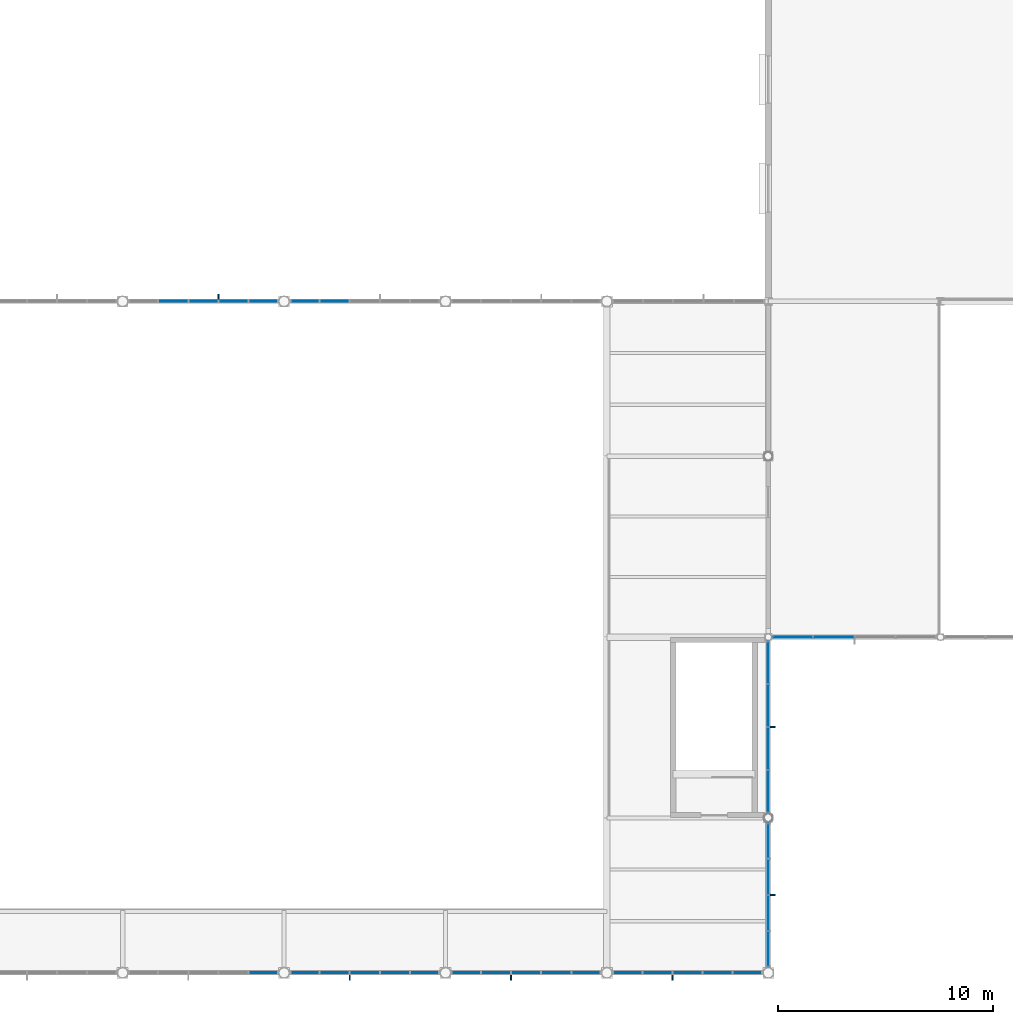
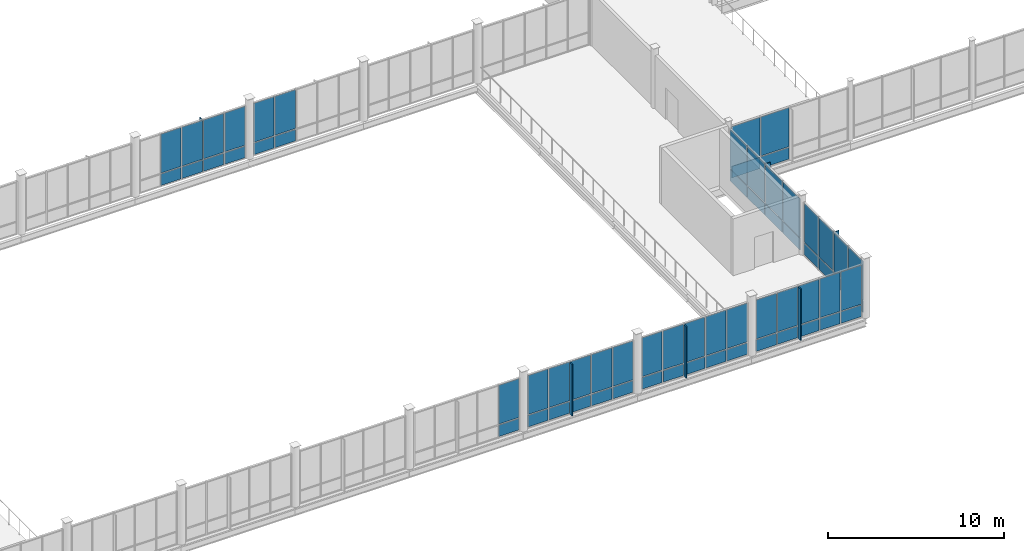
# One storey, part 42 of 75: 70 plates, 9 elements without a shape of their own.
"""IFC4 building model written with IfcOpenShell, lengths in metres."""

import ifcopenshell
import ifcopenshell.guid

model = None  # the IFC model being written
_history = None  # IfcOwnerHistory: only IFC2X3 demands one
_inside = {}  # id of a spatial element -> (the spatial element, [elements in it])
_under = {}  # id of a project, library or spatial element -> (it, [spatial elements below it])
_declared = {}  # id of a project -> (the project, [libraries it declares])
_typed = {}  # id of a type object -> (the type object, [elements of that type])
_made_of = {}  # id of a material, layer set ... -> (it, [elements and type objects made of it])


def new_model(schema):
    """Start an empty IFC model of exactly this schema.

    Asked for "IFC4X3", IfcOpenShell would pick the latest addendum, in which some entities
    have other attributes; the version numbers below select the first issue.
    IFC2X3 requires an IfcOwnerHistory on every rooted entity: one is made here for all.
    """
    global model, _history
    if schema == "IFC4X3":
        model = ifcopenshell.file(schema_version=(4, 3, 0, 0))
    else:
        model = ifcopenshell.file(schema=schema)
    _inside.clear()
    _under.clear()
    _declared.clear()
    _typed.clear()
    _made_of.clear()
    _history = None
    if model.schema == "IFC2X3":
        org = make("IfcOrganization", Name="unknown")
        user = make(
            "IfcPersonAndOrganization",
            ThePerson=make("IfcPerson", FamilyName="unknown"),
            TheOrganization=org,
        )
        app = make(
            "IfcApplication",
            ApplicationDeveloper=org,
            Version="unknown",
            ApplicationFullName="unknown",
            ApplicationIdentifier="unknown",
        )
        _history = make(
            "IfcOwnerHistory",
            OwningUser=user,
            OwningApplication=app,
            ChangeAction="ADDED",
            CreationDate=0,
        )
    return model


def make(cls, **values):
    """One entity of the class cls with the attributes given. An attribute that is None is left unset."""
    return model.create_entity(
        cls, **{name: value for name, value in values.items() if value is not None}
    )


def rooted(cls, **values):
    """An entity with a GlobalId (a new one), such as an element, a storey or a relation."""
    return make(cls, GlobalId=ifcopenshell.guid.new(), OwnerHistory=_history, **values)


def si_unit(unit_type, name, prefix=None):
    """IfcSIUnit, for example si_unit("LENGTHUNIT", "METRE", prefix="MILLI")."""
    return make("IfcSIUnit", UnitType=unit_type, Prefix=prefix, Name=name)


def assignment(units):
    """IfcUnitAssignment: the units of a project."""
    return None if units is None else make("IfcUnitAssignment", Units=units)


def point(xyz):
    """IfcCartesianPoint."""
    return None if xyz is None else make("IfcCartesianPoint", Coordinates=xyz)


def direction(xyz):
    """IfcDirection."""
    return None if xyz is None else make("IfcDirection", DirectionRatios=xyz)


def frame(location, z_axis=None, x_axis=None):
    """IfcAxis2Placement3D, a coordinate frame: its origin and axes. An axis left out is left unset."""
    return make(
        "IfcAxis2Placement3D",
        Location=point(location),
        Axis=direction(z_axis),
        RefDirection=direction(x_axis),
    )


def frame_2d(location, x_axis=None):
    """IfcAxis2Placement2D, a coordinate frame in the plane: its origin and x axis."""
    return make(
        "IfcAxis2Placement2D", Location=point(location), RefDirection=direction(x_axis)
    )


def origin():
    """The frame at (0, 0, 0) with its axes left unset."""
    return frame((0.0, 0.0, 0.0))


def origin_2d():
    """The frame at (0, 0) in the plane with its x axis left unset."""
    return frame_2d((0.0, 0.0))


def place(relative_to, where):
    """IfcLocalPlacement: puts the frame where relative to a parent placement (None: the world)."""
    return make(
        "IfcLocalPlacement", PlacementRelTo=relative_to, RelativePlacement=where
    )


def context(
    kind, dimensions, precision=None, world=None, true_north=None, identifier=None
):
    """IfcGeometricRepresentationContext, for example the 3D "Model" context."""
    return make(
        "IfcGeometricRepresentationContext",
        ContextIdentifier=identifier,
        ContextType=kind,
        CoordinateSpaceDimension=dimensions,
        Precision=precision,
        WorldCoordinateSystem=world,
        TrueNorth=true_north,
    )


def subcontext(parent, identifier, kind, view, scale=None):
    """IfcGeometricRepresentationSubContext, for example "Body" below "Model"."""
    return make(
        "IfcGeometricRepresentationSubContext",
        ContextIdentifier=identifier,
        ContextType=kind,
        ParentContext=parent,
        TargetScale=scale,
        TargetView=view,
    )


def project(units=None, contexts=None):
    """IfcProject with its units and contexts."""
    return rooted(
        "IfcProject",
        Name="project",
        RepresentationContexts=contexts,
        UnitsInContext=assignment(units),
    )


def spatial(cls, under=None, at=None, **own):
    """A site, building, storey or space (cls), placed at a placement, below another one or the project."""
    s = rooted(cls, ObjectPlacement=at, **own)
    if under is not None:
        _under.setdefault(under.id(), (under, []))[1].append(s)
    return s


def profile(cls, at=None, kind="AREA", **sizes):
    """A parametric profile (cls). Its sizes go by their IFC names, for example OverallWidth=200.0."""
    return make(cls, ProfileType=kind, Position=at, **sizes)


def rectangle(**sizes):
    """IfcRectangleProfileDef."""
    return profile("IfcRectangleProfileDef", **sizes)


def extrude(swept, where, along, depth):
    """IfcExtrudedAreaSolid: the profile swept, set in the frame where, extruded along a direction by depth."""
    return make(
        "IfcExtrudedAreaSolid",
        SweptArea=swept,
        Position=where,
        ExtrudedDirection=direction(along),
        Depth=depth,
    )


def shape(context_of_items, identifier, shape_type, items):
    """IfcShapeRepresentation: the items that make up one representation, for example the "Body"."""
    return make(
        "IfcShapeRepresentation",
        ContextOfItems=context_of_items,
        RepresentationIdentifier=identifier,
        RepresentationType=shape_type,
        Items=items,
    )


def material(Name=None, Category=None):
    """IfcMaterial."""
    return make("IfcMaterial", Name=Name, Category=Category)


def layer(
    of_material, thickness, ventilated=None, Name=None, Category=None, Priority=None
):
    """IfcMaterialLayer: one layer of a wall or slab, of a material (None: an air gap)."""
    return make(
        "IfcMaterialLayer",
        Material=of_material,
        LayerThickness=thickness,
        IsVentilated=ventilated,
        Name=Name,
        Category=Category,
        Priority=Priority,
    )


def layer_set(layers, Name=None):
    """IfcMaterialLayerSet."""
    return make("IfcMaterialLayerSet", MaterialLayers=layers, LayerSetName=Name)


def made_of(thing, what):
    """Note that an element or type object is made of a material, layer set ...; save() writes the relation."""
    if what is not None:
        _made_of.setdefault(what.id(), (what, []))[1].append(thing)
    return thing


def type_object(cls, material=None, **own):
    """A type object (cls), such as IfcWallType, which elements share."""
    return made_of(rooted(cls, **own), material)


def element(
    cls,
    number,
    at=None,
    inside=None,
    cuts=None,
    type_object=None,
    material=None,
    context=None,
    identifier="Body",
    shape_type=None,
    held_by="IfcProductDefinitionShape",
    body=None,
    shapes=None,
    **own,
):
    """One element of the class cls, such as IfcWall. Its Tag is "e" and its number.

    at: its placement. inside: the storey or other place that contains it. cuts: it is an
    opening in that element (IfcRelVoidsElement). A single representation is given by context,
    identifier, shape_type and body (its items); several are given by shapes. held_by: the class
    of the entity that holds the representations. save() writes the other relations.
    """
    e = rooted(cls, Tag="e%d" % number, ObjectPlacement=at, **own)
    if body is not None:
        shapes = [shape(context, identifier, shape_type, body)]
    if shapes is not None:
        e.Representation = make(held_by, Representations=shapes)
    if inside is not None:
        _inside.setdefault(inside.id(), (inside, []))[1].append(e)
    if cuts is not None:
        rooted(
            "IfcRelVoidsElement", RelatingBuildingElement=cuts, RelatedOpeningElement=e
        )
    if type_object is not None:
        _typed.setdefault(type_object.id(), (type_object, []))[1].append(e)
    return made_of(e, material)


def aggregate(whole, parts):
    """IfcRelAggregates: a whole, such as a stair, and the parts it consists of."""
    return rooted("IfcRelAggregates", RelatingObject=whole, RelatedObjects=parts)


def save(model, path):
    """Write the relations noted so far, then the file.

    IfcRelAggregates (storeys below a building ...), IfcRelContainedInSpatialStructure (elements
    in a storey), IfcRelDefinesByType, IfcRelAssociatesMaterial and IfcRelDeclares: one each for
    every whole, place, type object, material and project.
    """
    for whole, parts in _under.values():
        aggregate(whole, parts)
    for where, things in _inside.values():
        rooted(
            "IfcRelContainedInSpatialStructure",
            RelatedElements=things,
            RelatingStructure=where,
        )
    for kind, things in _typed.values():
        rooted("IfcRelDefinesByType", RelatedObjects=things, RelatingType=kind)
    for what, things in _made_of.values():
        rooted("IfcRelAssociatesMaterial", RelatedObjects=things, RelatingMaterial=what)
    for by, libraries in _declared.values():
        rooted("IfcRelDeclares", RelatingContext=by, RelatedDefinitions=libraries)
    model.write(path)


model = new_model("IFC4")

# Units and contexts
model_context = context("Model", 3, precision=1e-05, world=origin(), true_north=direction((0.0, 1.0)))
body_context = subcontext(model_context, "Body", "Model", "MODEL_VIEW")
ifc_project = project(units=[si_unit("LENGTHUNIT", "METRE"), si_unit("AREAUNIT", "SQUARE_METRE"), si_unit("VOLUMEUNIT", "CUBIC_METRE"), si_unit("PLANEANGLEUNIT", "RADIAN"), si_unit("MASSUNIT", "GRAM", prefix="KILO")], contexts=[model_context])

# Site, building, storey
site_placement = place(None, origin())
site = spatial("IfcSite", under=ifc_project, at=site_placement, CompositionType="ELEMENT")
building_placement = place(site_placement, origin())
building = spatial("IfcBuilding", under=site, at=building_placement, Name="Yukiwa Park Conservatory and Herbarium", CompositionType="ELEMENT")
storey_placement = place(building_placement, frame((0.0, 0.0, 4.800048828125)))
storey = spatial("IfcBuildingStorey", under=building, at=storey_placement, Name="L01", CompositionType="ELEMENT", Elevation=4.800048828125)

# Curtain wall, plate
ifc_material_1 = material(Name="Triple Low-E Insulated Glass", Category="glass")
ifc_layer_1 = layer(ifc_material_1, 0.152099609375)
ifc_layer_set_1 = layer_set([ifc_layer_1], Name="Triple Low-E Insulated Glass")
curtain_wall_type_1 = type_object("IfcCurtainWallType", Name="CW-CONSERVATORY-1500", PredefinedType="NOTDEFINED", material=ifc_layer_set_1)
curtain_wall_1_placement = place(storey_placement, origin())
curtain_wall_1 = element("IfcCurtainWall", 1, at=curtain_wall_1_placement, inside=storey, type_object=curtain_wall_type_1, Name="L01 unitised curtain wall CW-L01-030", PredefinedType="NOTDEFINED")
ifc_material_2 = material(Name="Triple Low-E Insulated Glass", Category="glass")
ifc_layer_2 = layer(ifc_material_2, 0.035888671875)
ifc_layer_set_2 = layer_set([ifc_layer_2], Name="Triple Low-E Insulated Glass")
plate_type_1 = type_object("IfcPlateType", Name="PL-CW-GLZ-36", PredefinedType="CURTAIN_PANEL", material=ifc_layer_set_2)
plate_1_placement = place(storey_placement, frame((36.546875, 0.0, 0.93505859375), z_axis=(0.0, 0.0, 1.0), x_axis=(1.0, 0.0, 0.0)))
plate_1 = element("IfcPlate", 2, at=plate_1_placement, type_object=plate_type_1, Name="CW-L01-030 vision panel 5.2", PredefinedType="CURTAIN_PANEL", context=body_context, shape_type="SweptSolid", body=[
    extrude(rectangle(XDim=1.328369140625, YDim=0.035888671875, at=origin_2d()), origin(), (0.0, 0.0, 1.0), 2.695068359375),
])

# Curtain wall, plates
curtain_wall_2_placement = place(storey_placement, origin())
curtain_wall_2 = element("IfcCurtainWall", 3, at=curtain_wall_2_placement, inside=storey, type_object=curtain_wall_type_1, Name="L01 unitised curtain wall CW-L01-031", PredefinedType="NOTDEFINED")
plate_2_placement = place(storey_placement, frame((38.453125, 0.0, 0.93505859375), z_axis=(0.0, 0.0, 1.0), x_axis=(1.0, 0.0, 0.0)))
plate_2 = element("IfcPlate", 4, at=plate_2_placement, type_object=plate_type_1, Name="CW-L01-031 vision panel 1.2", PredefinedType="CURTAIN_PANEL", context=body_context, shape_type="SweptSolid", body=[
    extrude(rectangle(XDim=1.328369140625, YDim=0.035888671875, at=origin_2d()), origin(), (0.0, 0.0, 1.0), 2.695068359375),
])
plate_3_placement = place(storey_placement, frame((39.8515625, 0.0, 0.93505859375), z_axis=(0.0, 0.0, 1.0), x_axis=(1.0, 0.0, 0.0)))
plate_3 = element("IfcPlate", 5, at=plate_3_placement, type_object=plate_type_1, Name="CW-L01-031 vision panel 2.2", PredefinedType="CURTAIN_PANEL", context=body_context, shape_type="SweptSolid", body=[
    extrude(rectangle(XDim=1.328369140625, YDim=0.035888671875, at=origin_2d()), origin(), (0.0, 0.0, 1.0), 2.695068359375),
])
plate_4_placement = place(storey_placement, frame((41.25, 0.0, 0.93505859375), z_axis=(0.0, 0.0, 1.0), x_axis=(1.0, 0.0, 0.0)))
plate_4 = element("IfcPlate", 6, at=plate_4_placement, type_object=plate_type_1, Name="CW-L01-031 vision panel 3.2", PredefinedType="CURTAIN_PANEL", context=body_context, shape_type="SweptSolid", body=[
    extrude(rectangle(XDim=1.328369140625, YDim=0.035888671875, at=origin_2d()), origin(), (0.0, 0.0, 1.0), 2.695068359375),
])
plate_5_placement = place(storey_placement, frame((42.6484375, 0.0, 0.93505859375), z_axis=(0.0, 0.0, 1.0), x_axis=(1.0, 0.0, 0.0)))
plate_5 = element("IfcPlate", 7, at=plate_5_placement, type_object=plate_type_1, Name="CW-L01-031 vision panel 4.2", PredefinedType="CURTAIN_PANEL", context=body_context, shape_type="SweptSolid", body=[
    extrude(rectangle(XDim=1.328369140625, YDim=0.035888671875, at=origin_2d()), origin(), (0.0, 0.0, 1.0), 2.695068359375),
])
plate_6_placement = place(storey_placement, frame((44.046875, 0.0, 0.93505859375), z_axis=(0.0, 0.0, 1.0), x_axis=(1.0, 0.0, 0.0)))
plate_6 = element("IfcPlate", 8, at=plate_6_placement, type_object=plate_type_1, Name="CW-L01-031 vision panel 5.2", PredefinedType="CURTAIN_PANEL", context=body_context, shape_type="SweptSolid", body=[
    extrude(rectangle(XDim=1.328369140625, YDim=0.035888671875, at=origin_2d()), origin(), (0.0, 0.0, 1.0), 2.695068359375),
])

curtain_wall_3_placement = place(storey_placement, origin())
curtain_wall_3 = element("IfcCurtainWall", 9, at=curtain_wall_3_placement, inside=storey, type_object=curtain_wall_type_1, Name="L01 unitised curtain wall CW-L01-032", PredefinedType="NOTDEFINED")
plate_7_placement = place(storey_placement, frame((45.953125, 0.0, 0.93505859375), z_axis=(0.0, 0.0, 1.0), x_axis=(1.0, 0.0, 0.0)))
plate_7 = element("IfcPlate", 10, at=plate_7_placement, type_object=plate_type_1, Name="CW-L01-032 vision panel 1.2", PredefinedType="CURTAIN_PANEL", context=body_context, shape_type="SweptSolid", body=[
    extrude(rectangle(XDim=1.328369140625, YDim=0.035888671875, at=origin_2d()), origin(), (0.0, 0.0, 1.0), 2.695068359375),
])
plate_8_placement = place(storey_placement, frame((47.3515625, 0.0, 0.93505859375), z_axis=(0.0, 0.0, 1.0), x_axis=(1.0, 0.0, 0.0)))
plate_8 = element("IfcPlate", 11, at=plate_8_placement, type_object=plate_type_1, Name="CW-L01-032 vision panel 2.2", PredefinedType="CURTAIN_PANEL", context=body_context, shape_type="SweptSolid", body=[
    extrude(rectangle(XDim=1.328369140625, YDim=0.035888671875, at=origin_2d()), origin(), (0.0, 0.0, 1.0), 2.695068359375),
])
plate_9_placement = place(storey_placement, frame((48.75, 0.0, 0.93505859375), z_axis=(0.0, 0.0, 1.0), x_axis=(1.0, 0.0, 0.0)))
plate_9 = element("IfcPlate", 12, at=plate_9_placement, type_object=plate_type_1, Name="CW-L01-032 vision panel 3.2", PredefinedType="CURTAIN_PANEL", context=body_context, shape_type="SweptSolid", body=[
    extrude(rectangle(XDim=1.328369140625, YDim=0.035888671875, at=origin_2d()), origin(), (0.0, 0.0, 1.0), 2.695068359375),
])
plate_10_placement = place(storey_placement, frame((50.1484375, 0.0, 0.93505859375), z_axis=(0.0, 0.0, 1.0), x_axis=(1.0, 0.0, 0.0)))
plate_10 = element("IfcPlate", 13, at=plate_10_placement, type_object=plate_type_1, Name="CW-L01-032 vision panel 4.2", PredefinedType="CURTAIN_PANEL", context=body_context, shape_type="SweptSolid", body=[
    extrude(rectangle(XDim=1.328369140625, YDim=0.035888671875, at=origin_2d()), origin(), (0.0, 0.0, 1.0), 2.695068359375),
])
plate_11_placement = place(storey_placement, frame((51.546875, 0.0, 0.93505859375), z_axis=(0.0, 0.0, 1.0), x_axis=(1.0, 0.0, 0.0)))
plate_11 = element("IfcPlate", 14, at=plate_11_placement, type_object=plate_type_1, Name="CW-L01-032 vision panel 5.2", PredefinedType="CURTAIN_PANEL", context=body_context, shape_type="SweptSolid", body=[
    extrude(rectangle(XDim=1.328369140625, YDim=0.035888671875, at=origin_2d()), origin(), (0.0, 0.0, 1.0), 2.695068359375),
])

curtain_wall_4_placement = place(storey_placement, origin())
curtain_wall_4 = element("IfcCurtainWall", 15, at=curtain_wall_4_placement, inside=storey, type_object=curtain_wall_type_1, Name="L01 unitised curtain wall CW-L01-033", PredefinedType="NOTDEFINED")
plate_12_placement = place(storey_placement, frame((53.453125, 0.0, 0.93505859375), z_axis=(0.0, 0.0, 1.0), x_axis=(1.0, 0.0, 0.0)))
plate_12 = element("IfcPlate", 16, at=plate_12_placement, type_object=plate_type_1, Name="CW-L01-033 vision panel 1.2", PredefinedType="CURTAIN_PANEL", context=body_context, shape_type="SweptSolid", body=[
    extrude(rectangle(XDim=1.328369140625, YDim=0.035888671875, at=origin_2d()), origin(), (0.0, 0.0, 1.0), 2.695068359375),
])
plate_13_placement = place(storey_placement, frame((54.8515625, 0.0, 0.93505859375), z_axis=(0.0, 0.0, 1.0), x_axis=(1.0, 0.0, 0.0)))
plate_13 = element("IfcPlate", 17, at=plate_13_placement, type_object=plate_type_1, Name="CW-L01-033 vision panel 2.2", PredefinedType="CURTAIN_PANEL", context=body_context, shape_type="SweptSolid", body=[
    extrude(rectangle(XDim=1.328369140625, YDim=0.035888671875, at=origin_2d()), origin(), (0.0, 0.0, 1.0), 2.695068359375),
])
plate_14_placement = place(storey_placement, frame((56.25, 0.0, 0.93505859375), z_axis=(0.0, 0.0, 1.0), x_axis=(1.0, 0.0, 0.0)))
plate_14 = element("IfcPlate", 18, at=plate_14_placement, type_object=plate_type_1, Name="CW-L01-033 vision panel 3.2", PredefinedType="CURTAIN_PANEL", context=body_context, shape_type="SweptSolid", body=[
    extrude(rectangle(XDim=1.328369140625, YDim=0.035888671875, at=origin_2d()), origin(), (0.0, 0.0, 1.0), 2.695068359375),
])
plate_15_placement = place(storey_placement, frame((57.6484375, 0.0, 0.93505859375), z_axis=(0.0, 0.0, 1.0), x_axis=(1.0, 0.0, 0.0)))
plate_15 = element("IfcPlate", 19, at=plate_15_placement, type_object=plate_type_1, Name="CW-L01-033 vision panel 4.2", PredefinedType="CURTAIN_PANEL", context=body_context, shape_type="SweptSolid", body=[
    extrude(rectangle(XDim=1.328369140625, YDim=0.035888671875, at=origin_2d()), origin(), (0.0, 0.0, 1.0), 2.695068359375),
])
plate_16_placement = place(storey_placement, frame((59.046875, 0.0, 0.93505859375), z_axis=(0.0, 0.0, 1.0), x_axis=(1.0, 0.0, 0.0)))
plate_16 = element("IfcPlate", 20, at=plate_16_placement, type_object=plate_type_1, Name="CW-L01-033 vision panel 5.2", PredefinedType="CURTAIN_PANEL", context=body_context, shape_type="SweptSolid", body=[
    extrude(rectangle(XDim=1.328369140625, YDim=0.035888671875, at=origin_2d()), origin(), (0.0, 0.0, 1.0), 2.695068359375),
])

ifc_material_3 = material(Name="Triple Low-E Insulated Glass", Category="glass")
ifc_layer_3 = layer(ifc_material_3, 0.1640625)
ifc_layer_set_3 = layer_set([ifc_layer_3], Name="Triple Low-E Insulated Glass")
curtain_wall_type_2 = type_object("IfcCurtainWallType", Name="CW-CONSERVATORY-1875", PredefinedType="NOTDEFINED", material=ifc_layer_set_3)
curtain_wall_5_placement = place(storey_placement, origin())
curtain_wall_5 = element("IfcCurtainWall", 21, at=curtain_wall_5_placement, inside=storey, type_object=curtain_wall_type_2, Name="L01 unitised curtain wall CW-L01-034", PredefinedType="NOTDEFINED")
plate_17_placement = place(storey_placement, frame((60.0, 1.095703125, 0.93505859375), z_axis=(0.0, 0.0, 1.0), x_axis=(0.0, 1.0, 0.0)))
plate_17 = element("IfcPlate", 22, at=plate_17_placement, type_object=plate_type_1, Name="CW-L01-034 vision panel 1.2", PredefinedType="CURTAIN_PANEL", context=body_context, shape_type="SweptSolid", body=[
    extrude(rectangle(XDim=1.61328125, YDim=0.035888671875, at=origin_2d()), origin(), (0.0, 0.0, 1.0), 2.695068359375),
])
plate_18_placement = place(storey_placement, frame((60.0, 2.77880859375, 0.93505859375), z_axis=(0.0, 0.0, 1.0), x_axis=(0.0, 1.0, 0.0)))
plate_18 = element("IfcPlate", 23, at=plate_18_placement, type_object=plate_type_1, Name="CW-L01-034 vision panel 2.2", PredefinedType="CURTAIN_PANEL", context=body_context, shape_type="SweptSolid", body=[
    extrude(rectangle(XDim=1.61328125, YDim=0.035888671875, at=origin_2d()), origin(), (0.0, 0.0, 1.0), 2.695068359375),
])
plate_19_placement = place(storey_placement, frame((60.0, 4.462158203125, 0.93505859375), z_axis=(0.0, 0.0, 1.0), x_axis=(0.0, 1.0, 0.0)))
plate_19 = element("IfcPlate", 24, at=plate_19_placement, type_object=plate_type_1, Name="CW-L01-034 vision panel 3.2", PredefinedType="CURTAIN_PANEL", context=body_context, shape_type="SweptSolid", body=[
    extrude(rectangle(XDim=1.61328125, YDim=0.035888671875, at=origin_2d()), origin(), (0.0, 0.0, 1.0), 2.695068359375),
])
plate_20_placement = place(storey_placement, frame((60.0, 6.1455078125, 0.93505859375), z_axis=(0.0, 0.0, 1.0), x_axis=(0.0, 1.0, 0.0)))
plate_20 = element("IfcPlate", 25, at=plate_20_placement, type_object=plate_type_1, Name="CW-L01-034 vision panel 4.2", PredefinedType="CURTAIN_PANEL", context=body_context, shape_type="SweptSolid", body=[
    extrude(rectangle(XDim=1.61328125, YDim=0.035888671875, at=origin_2d()), origin(), (0.0, 0.0, 1.0), 2.695068359375),
])

curtain_wall_6_placement = place(storey_placement, origin())
curtain_wall_6 = element("IfcCurtainWall", 26, at=curtain_wall_6_placement, inside=storey, type_object=curtain_wall_type_2, Name="L01 unitised curtain wall CW-L01-035", PredefinedType="NOTDEFINED")
plate_21_placement = place(storey_placement, frame((60.0, 8.416015625, 0.93505859375), z_axis=(0.0, 0.0, 1.0), x_axis=(0.0, 1.0, 0.0)))
plate_21 = element("IfcPlate", 27, at=plate_21_placement, type_object=plate_type_1, Name="CW-L01-035 vision panel 1.2", PredefinedType="CURTAIN_PANEL", context=body_context, shape_type="SweptSolid", body=[
    extrude(rectangle(XDim=1.93603515625, YDim=0.035888671875, at=origin_2d()), origin(), (0.0, 0.0, 1.0), 2.695068359375),
])
plate_22_placement = place(storey_placement, frame((60.0, 10.422119140625, 0.93505859375), z_axis=(0.0, 0.0, 1.0), x_axis=(0.0, 1.0, 0.0)))
plate_22 = element("IfcPlate", 28, at=plate_22_placement, type_object=plate_type_1, Name="CW-L01-035 vision panel 2.2", PredefinedType="CURTAIN_PANEL", context=body_context, shape_type="SweptSolid", body=[
    extrude(rectangle(XDim=1.93603515625, YDim=0.035888671875, at=origin_2d()), origin(), (0.0, 0.0, 1.0), 2.695068359375),
])
plate_23_placement = place(storey_placement, frame((60.0, 12.42822265625, 0.93505859375), z_axis=(0.0, 0.0, 1.0), x_axis=(0.0, 1.0, 0.0)))
plate_23 = element("IfcPlate", 29, at=plate_23_placement, type_object=plate_type_1, Name="CW-L01-035 vision panel 3.2", PredefinedType="CURTAIN_PANEL", context=body_context, shape_type="SweptSolid", body=[
    extrude(rectangle(XDim=1.93603515625, YDim=0.035888671875, at=origin_2d()), origin(), (0.0, 0.0, 1.0), 2.695068359375),
])
plate_24_placement = place(storey_placement, frame((60.0, 14.434326171875, 0.93505859375), z_axis=(0.0, 0.0, 1.0), x_axis=(0.0, 1.0, 0.0)))
plate_24 = element("IfcPlate", 30, at=plate_24_placement, type_object=plate_type_1, Name="CW-L01-035 vision panel 4.2", PredefinedType="CURTAIN_PANEL", context=body_context, shape_type="SweptSolid", body=[
    extrude(rectangle(XDim=1.93603515625, YDim=0.035888671875, at=origin_2d()), origin(), (0.0, 0.0, 1.0), 2.695068359375),
])

ifc_material_4 = material(Name="Triple Low-E Insulated Glass", Category="glass")
ifc_layer_4 = layer(ifc_material_4, 0.18798828125)
ifc_layer_set_4 = layer_set([ifc_layer_4], Name="Triple Low-E Insulated Glass")
curtain_wall_type_3 = type_object("IfcCurtainWallType", Name="CW-CONCOURSE-2000", PredefinedType="NOTDEFINED", material=ifc_layer_set_4)
curtain_wall_7_placement = place(storey_placement, origin())
curtain_wall_7 = element("IfcCurtainWall", 31, at=curtain_wall_7_placement, inside=storey, type_object=curtain_wall_type_3, Name="L01 unitised curtain wall CW-L01-036", PredefinedType="NOTDEFINED")
plate_25_placement = place(storey_placement, frame((61.121826171875, 15.60009765625, 0.93505859375), z_axis=(0.0, 0.0, 1.0), x_axis=(1.0, 0.0, 0.0)))
plate_25 = element("IfcPlate", 32, at=plate_25_placement, type_object=plate_type_1, Name="CW-L01-036 vision panel 1.2", PredefinedType="CURTAIN_PANEL", context=body_context, shape_type="SweptSolid", body=[
    extrude(rectangle(XDim=1.848876953125, YDim=0.035888671875, at=origin_2d()), origin(), (0.0, 0.0, 1.0), 2.695068359375),
])
plate_26_placement = place(storey_placement, frame((63.04052734375, 15.60009765625, 0.93505859375), z_axis=(0.0, 0.0, 1.0), x_axis=(1.0, 0.0, 0.0)))
plate_26 = element("IfcPlate", 33, at=plate_26_placement, type_object=plate_type_1, Name="CW-L01-036 vision panel 2.2", PredefinedType="CURTAIN_PANEL", context=body_context, shape_type="SweptSolid", body=[
    extrude(rectangle(XDim=1.848876953125, YDim=0.035888671875, at=origin_2d()), origin(), (0.0, 0.0, 1.0), 2.695068359375),
])

curtain_wall_8_placement = place(storey_placement, origin())
curtain_wall_8 = element("IfcCurtainWall", 34, at=curtain_wall_8_placement, inside=storey, type_object=curtain_wall_type_1, Name="L01 unitised curtain wall CW-L01-052", PredefinedType="NOTDEFINED")
plate_27_placement = place(storey_placement, frame((39.8515625, 31.199951171875, 0.93505859375), z_axis=(0.0, 0.0, 1.0), x_axis=(-1.0, 0.0, 0.0)))
plate_27 = element("IfcPlate", 35, at=plate_27_placement, type_object=plate_type_1, Name="CW-L01-052 vision panel 4.2", PredefinedType="CURTAIN_PANEL", context=body_context, shape_type="SweptSolid", body=[
    extrude(rectangle(XDim=1.328369140625, YDim=0.035888671875, at=origin_2d()), origin(), (0.0, 0.0, 1.0), 2.695068359375),
])
plate_28_placement = place(storey_placement, frame((38.453125, 31.199951171875, 0.93505859375), z_axis=(0.0, 0.0, 1.0), x_axis=(-1.0, 0.0, 0.0)))
plate_28 = element("IfcPlate", 36, at=plate_28_placement, type_object=plate_type_1, Name="CW-L01-052 vision panel 5.2", PredefinedType="CURTAIN_PANEL", context=body_context, shape_type="SweptSolid", body=[
    extrude(rectangle(XDim=1.328369140625, YDim=0.035888671875, at=origin_2d()), origin(), (0.0, 0.0, 1.0), 2.695068359375),
])

curtain_wall_9_placement = place(storey_placement, origin())
curtain_wall_9 = element("IfcCurtainWall", 37, at=curtain_wall_9_placement, inside=storey, type_object=curtain_wall_type_1, Name="L01 unitised curtain wall CW-L01-053", PredefinedType="NOTDEFINED")
plate_29_placement = place(storey_placement, frame((36.546875, 31.199951171875, 0.93505859375), z_axis=(0.0, 0.0, 1.0), x_axis=(-1.0, 0.0, 0.0)))
plate_29 = element("IfcPlate", 38, at=plate_29_placement, type_object=plate_type_1, Name="CW-L01-053 vision panel 1.2", PredefinedType="CURTAIN_PANEL", context=body_context, shape_type="SweptSolid", body=[
    extrude(rectangle(XDim=1.328369140625, YDim=0.035888671875, at=origin_2d()), origin(), (0.0, 0.0, 1.0), 2.695068359375),
])
plate_30_placement = place(storey_placement, frame((35.1484375, 31.199951171875, 0.93505859375), z_axis=(0.0, 0.0, 1.0), x_axis=(-1.0, 0.0, 0.0)))
plate_30 = element("IfcPlate", 39, at=plate_30_placement, type_object=plate_type_1, Name="CW-L01-053 vision panel 2.2", PredefinedType="CURTAIN_PANEL", context=body_context, shape_type="SweptSolid", body=[
    extrude(rectangle(XDim=1.328369140625, YDim=0.035888671875, at=origin_2d()), origin(), (0.0, 0.0, 1.0), 2.695068359375),
])
plate_31_placement = place(storey_placement, frame((33.75, 31.199951171875, 0.93505859375), z_axis=(0.0, 0.0, 1.0), x_axis=(-1.0, 0.0, 0.0)))
plate_31 = element("IfcPlate", 40, at=plate_31_placement, type_object=plate_type_1, Name="CW-L01-053 vision panel 3.2", PredefinedType="CURTAIN_PANEL", context=body_context, shape_type="SweptSolid", body=[
    extrude(rectangle(XDim=1.328369140625, YDim=0.035888671875, at=origin_2d()), origin(), (0.0, 0.0, 1.0), 2.695068359375),
])
plate_32_placement = place(storey_placement, frame((32.3515625, 31.199951171875, 0.93505859375), z_axis=(0.0, 0.0, 1.0), x_axis=(-1.0, 0.0, 0.0)))
plate_32 = element("IfcPlate", 41, at=plate_32_placement, type_object=plate_type_1, Name="CW-L01-053 vision panel 4.2", PredefinedType="CURTAIN_PANEL", context=body_context, shape_type="SweptSolid", body=[
    extrude(rectangle(XDim=1.328369140625, YDim=0.035888671875, at=origin_2d()), origin(), (0.0, 0.0, 1.0), 2.695068359375),
])

# Plate
ifc_material_5 = material(Name="Anodised Aluminium", Category="aluminium")
ifc_layer_5 = layer(ifc_material_5, 0.044921875)
ifc_layer_set_5 = layer_set([ifc_layer_5], Name="Anodised Aluminium")
plate_type_2 = type_object("IfcPlateType", Name="PL-CW-SPN-45", PredefinedType="CURTAIN_PANEL", material=ifc_layer_set_5)
plate_33_placement = place(storey_placement, frame((36.546875, 0.0, 0.070068359375), z_axis=(0.0, 0.0, 1.0), x_axis=(1.0, 0.0, 0.0)))
plate_33 = element("IfcPlate", 42, at=plate_33_placement, type_object=plate_type_2, Name="CW-L01-030 spandrel panel 5.1", PredefinedType="CURTAIN_PANEL", context=body_context, shape_type="SweptSolid", body=[
    extrude(rectangle(XDim=1.328369140625, YDim=0.044921875, at=origin_2d()), origin(), (0.0, 0.0, 1.0), 0.794921875),
])

aggregate(curtain_wall_1, [plate_33, plate_1])

plate_34_placement = place(storey_placement, frame((38.453125, 0.0, 0.070068359375), z_axis=(0.0, 0.0, 1.0), x_axis=(1.0, 0.0, 0.0)))
plate_34 = element("IfcPlate", 43, at=plate_34_placement, type_object=plate_type_2, Name="CW-L01-031 spandrel panel 1.1", PredefinedType="CURTAIN_PANEL", context=body_context, shape_type="SweptSolid", body=[
    extrude(rectangle(XDim=1.328369140625, YDim=0.044921875, at=origin_2d()), origin(), (0.0, 0.0, 1.0), 0.794921875),
])

plate_35_placement = place(storey_placement, frame((39.8515625, 0.0, 0.070068359375), z_axis=(0.0, 0.0, 1.0), x_axis=(1.0, 0.0, 0.0)))
plate_35 = element("IfcPlate", 44, at=plate_35_placement, type_object=plate_type_2, Name="CW-L01-031 spandrel panel 2.1", PredefinedType="CURTAIN_PANEL", context=body_context, shape_type="SweptSolid", body=[
    extrude(rectangle(XDim=1.328369140625, YDim=0.044921875, at=origin_2d()), origin(), (0.0, 0.0, 1.0), 0.794921875),
])

plate_36_placement = place(storey_placement, frame((41.25, 0.0, 0.070068359375), z_axis=(0.0, 0.0, 1.0), x_axis=(1.0, 0.0, 0.0)))
plate_36 = element("IfcPlate", 45, at=plate_36_placement, type_object=plate_type_2, Name="CW-L01-031 spandrel panel 3.1", PredefinedType="CURTAIN_PANEL", context=body_context, shape_type="SweptSolid", body=[
    extrude(rectangle(XDim=1.328369140625, YDim=0.044921875, at=origin_2d()), origin(), (0.0, 0.0, 1.0), 0.794921875),
])

plate_37_placement = place(storey_placement, frame((42.6484375, 0.0, 0.070068359375), z_axis=(0.0, 0.0, 1.0), x_axis=(1.0, 0.0, 0.0)))
plate_37 = element("IfcPlate", 46, at=plate_37_placement, type_object=plate_type_2, Name="CW-L01-031 spandrel panel 4.1", PredefinedType="CURTAIN_PANEL", context=body_context, shape_type="SweptSolid", body=[
    extrude(rectangle(XDim=1.328369140625, YDim=0.044921875, at=origin_2d()), origin(), (0.0, 0.0, 1.0), 0.794921875),
])

plate_38_placement = place(storey_placement, frame((44.046875, 0.0, 0.070068359375), z_axis=(0.0, 0.0, 1.0), x_axis=(1.0, 0.0, 0.0)))
plate_38 = element("IfcPlate", 47, at=plate_38_placement, type_object=plate_type_2, Name="CW-L01-031 spandrel panel 5.1", PredefinedType="CURTAIN_PANEL", context=body_context, shape_type="SweptSolid", body=[
    extrude(rectangle(XDim=1.328369140625, YDim=0.044921875, at=origin_2d()), origin(), (0.0, 0.0, 1.0), 0.794921875),
])

aggregate(curtain_wall_2, [plate_34, plate_2, plate_35, plate_3, plate_36, plate_4, plate_37, plate_5, plate_38, plate_6])

plate_39_placement = place(storey_placement, frame((45.953125, 0.0, 0.070068359375), z_axis=(0.0, 0.0, 1.0), x_axis=(1.0, 0.0, 0.0)))
plate_39 = element("IfcPlate", 48, at=plate_39_placement, type_object=plate_type_2, Name="CW-L01-032 spandrel panel 1.1", PredefinedType="CURTAIN_PANEL", context=body_context, shape_type="SweptSolid", body=[
    extrude(rectangle(XDim=1.328369140625, YDim=0.044921875, at=origin_2d()), origin(), (0.0, 0.0, 1.0), 0.794921875),
])

plate_40_placement = place(storey_placement, frame((47.3515625, 0.0, 0.070068359375), z_axis=(0.0, 0.0, 1.0), x_axis=(1.0, 0.0, 0.0)))
plate_40 = element("IfcPlate", 49, at=plate_40_placement, type_object=plate_type_2, Name="CW-L01-032 spandrel panel 2.1", PredefinedType="CURTAIN_PANEL", context=body_context, shape_type="SweptSolid", body=[
    extrude(rectangle(XDim=1.328369140625, YDim=0.044921875, at=origin_2d()), origin(), (0.0, 0.0, 1.0), 0.794921875),
])

plate_41_placement = place(storey_placement, frame((48.75, 0.0, 0.070068359375), z_axis=(0.0, 0.0, 1.0), x_axis=(1.0, 0.0, 0.0)))
plate_41 = element("IfcPlate", 50, at=plate_41_placement, type_object=plate_type_2, Name="CW-L01-032 spandrel panel 3.1", PredefinedType="CURTAIN_PANEL", context=body_context, shape_type="SweptSolid", body=[
    extrude(rectangle(XDim=1.328369140625, YDim=0.044921875, at=origin_2d()), origin(), (0.0, 0.0, 1.0), 0.794921875),
])

plate_42_placement = place(storey_placement, frame((50.1484375, 0.0, 0.070068359375), z_axis=(0.0, 0.0, 1.0), x_axis=(1.0, 0.0, 0.0)))
plate_42 = element("IfcPlate", 51, at=plate_42_placement, type_object=plate_type_2, Name="CW-L01-032 spandrel panel 4.1", PredefinedType="CURTAIN_PANEL", context=body_context, shape_type="SweptSolid", body=[
    extrude(rectangle(XDim=1.328369140625, YDim=0.044921875, at=origin_2d()), origin(), (0.0, 0.0, 1.0), 0.794921875),
])

plate_43_placement = place(storey_placement, frame((51.546875, 0.0, 0.070068359375), z_axis=(0.0, 0.0, 1.0), x_axis=(1.0, 0.0, 0.0)))
plate_43 = element("IfcPlate", 52, at=plate_43_placement, type_object=plate_type_2, Name="CW-L01-032 spandrel panel 5.1", PredefinedType="CURTAIN_PANEL", context=body_context, shape_type="SweptSolid", body=[
    extrude(rectangle(XDim=1.328369140625, YDim=0.044921875, at=origin_2d()), origin(), (0.0, 0.0, 1.0), 0.794921875),
])

aggregate(curtain_wall_3, [plate_39, plate_7, plate_40, plate_8, plate_41, plate_9, plate_42, plate_10, plate_43, plate_11])

plate_44_placement = place(storey_placement, frame((53.453125, 0.0, 0.070068359375), z_axis=(0.0, 0.0, 1.0), x_axis=(1.0, 0.0, 0.0)))
plate_44 = element("IfcPlate", 53, at=plate_44_placement, type_object=plate_type_2, Name="CW-L01-033 spandrel panel 1.1", PredefinedType="CURTAIN_PANEL", context=body_context, shape_type="SweptSolid", body=[
    extrude(rectangle(XDim=1.328369140625, YDim=0.044921875, at=origin_2d()), origin(), (0.0, 0.0, 1.0), 0.794921875),
])

plate_45_placement = place(storey_placement, frame((54.8515625, 0.0, 0.070068359375), z_axis=(0.0, 0.0, 1.0), x_axis=(1.0, 0.0, 0.0)))
plate_45 = element("IfcPlate", 54, at=plate_45_placement, type_object=plate_type_2, Name="CW-L01-033 spandrel panel 2.1", PredefinedType="CURTAIN_PANEL", context=body_context, shape_type="SweptSolid", body=[
    extrude(rectangle(XDim=1.328369140625, YDim=0.044921875, at=origin_2d()), origin(), (0.0, 0.0, 1.0), 0.794921875),
])

plate_46_placement = place(storey_placement, frame((56.25, 0.0, 0.070068359375), z_axis=(0.0, 0.0, 1.0), x_axis=(1.0, 0.0, 0.0)))
plate_46 = element("IfcPlate", 55, at=plate_46_placement, type_object=plate_type_2, Name="CW-L01-033 spandrel panel 3.1", PredefinedType="CURTAIN_PANEL", context=body_context, shape_type="SweptSolid", body=[
    extrude(rectangle(XDim=1.328369140625, YDim=0.044921875, at=origin_2d()), origin(), (0.0, 0.0, 1.0), 0.794921875),
])

plate_47_placement = place(storey_placement, frame((57.6484375, 0.0, 0.070068359375), z_axis=(0.0, 0.0, 1.0), x_axis=(1.0, 0.0, 0.0)))
plate_47 = element("IfcPlate", 56, at=plate_47_placement, type_object=plate_type_2, Name="CW-L01-033 spandrel panel 4.1", PredefinedType="CURTAIN_PANEL", context=body_context, shape_type="SweptSolid", body=[
    extrude(rectangle(XDim=1.328369140625, YDim=0.044921875, at=origin_2d()), origin(), (0.0, 0.0, 1.0), 0.794921875),
])

plate_48_placement = place(storey_placement, frame((59.046875, 0.0, 0.070068359375), z_axis=(0.0, 0.0, 1.0), x_axis=(1.0, 0.0, 0.0)))
plate_48 = element("IfcPlate", 57, at=plate_48_placement, type_object=plate_type_2, Name="CW-L01-033 spandrel panel 5.1", PredefinedType="CURTAIN_PANEL", context=body_context, shape_type="SweptSolid", body=[
    extrude(rectangle(XDim=1.328369140625, YDim=0.044921875, at=origin_2d()), origin(), (0.0, 0.0, 1.0), 0.794921875),
])

aggregate(curtain_wall_4, [plate_44, plate_12, plate_45, plate_13, plate_46, plate_14, plate_47, plate_15, plate_48, plate_16])

plate_49_placement = place(storey_placement, frame((60.0, 1.095703125, 0.070068359375), z_axis=(0.0, 0.0, 1.0), x_axis=(0.0, 1.0, 0.0)))
plate_49 = element("IfcPlate", 58, at=plate_49_placement, type_object=plate_type_2, Name="CW-L01-034 spandrel panel 1.1", PredefinedType="CURTAIN_PANEL", context=body_context, shape_type="SweptSolid", body=[
    extrude(rectangle(XDim=1.61328125, YDim=0.044921875, at=origin_2d()), origin(), (0.0, 0.0, 1.0), 0.794921875),
])

plate_50_placement = place(storey_placement, frame((60.0, 2.77880859375, 0.070068359375), z_axis=(0.0, 0.0, 1.0), x_axis=(0.0, 1.0, 0.0)))
plate_50 = element("IfcPlate", 59, at=plate_50_placement, type_object=plate_type_2, Name="CW-L01-034 spandrel panel 2.1", PredefinedType="CURTAIN_PANEL", context=body_context, shape_type="SweptSolid", body=[
    extrude(rectangle(XDim=1.61328125, YDim=0.044921875, at=origin_2d()), origin(), (0.0, 0.0, 1.0), 0.794921875),
])

plate_51_placement = place(storey_placement, frame((60.0, 4.462158203125, 0.070068359375), z_axis=(0.0, 0.0, 1.0), x_axis=(0.0, 1.0, 0.0)))
plate_51 = element("IfcPlate", 60, at=plate_51_placement, type_object=plate_type_2, Name="CW-L01-034 spandrel panel 3.1", PredefinedType="CURTAIN_PANEL", context=body_context, shape_type="SweptSolid", body=[
    extrude(rectangle(XDim=1.61328125, YDim=0.044921875, at=origin_2d()), origin(), (0.0, 0.0, 1.0), 0.794921875),
])

plate_52_placement = place(storey_placement, frame((60.0, 6.1455078125, 0.070068359375), z_axis=(0.0, 0.0, 1.0), x_axis=(0.0, 1.0, 0.0)))
plate_52 = element("IfcPlate", 61, at=plate_52_placement, type_object=plate_type_2, Name="CW-L01-034 spandrel panel 4.1", PredefinedType="CURTAIN_PANEL", context=body_context, shape_type="SweptSolid", body=[
    extrude(rectangle(XDim=1.61328125, YDim=0.044921875, at=origin_2d()), origin(), (0.0, 0.0, 1.0), 0.794921875),
])

aggregate(curtain_wall_5, [plate_49, plate_17, plate_50, plate_18, plate_51, plate_19, plate_52, plate_20])

plate_53_placement = place(storey_placement, frame((60.0, 8.416015625, 0.070068359375), z_axis=(0.0, 0.0, 1.0), x_axis=(0.0, 1.0, 0.0)))
plate_53 = element("IfcPlate", 62, at=plate_53_placement, type_object=plate_type_2, Name="CW-L01-035 spandrel panel 1.1", PredefinedType="CURTAIN_PANEL", context=body_context, shape_type="SweptSolid", body=[
    extrude(rectangle(XDim=1.93603515625, YDim=0.044921875, at=origin_2d()), origin(), (0.0, 0.0, 1.0), 0.794921875),
])

plate_54_placement = place(storey_placement, frame((60.0, 10.422119140625, 0.070068359375), z_axis=(0.0, 0.0, 1.0), x_axis=(0.0, 1.0, 0.0)))
plate_54 = element("IfcPlate", 63, at=plate_54_placement, type_object=plate_type_2, Name="CW-L01-035 spandrel panel 2.1", PredefinedType="CURTAIN_PANEL", context=body_context, shape_type="SweptSolid", body=[
    extrude(rectangle(XDim=1.93603515625, YDim=0.044921875, at=origin_2d()), origin(), (0.0, 0.0, 1.0), 0.794921875),
])

plate_55_placement = place(storey_placement, frame((60.0, 12.42822265625, 0.070068359375), z_axis=(0.0, 0.0, 1.0), x_axis=(0.0, 1.0, 0.0)))
plate_55 = element("IfcPlate", 64, at=plate_55_placement, type_object=plate_type_2, Name="CW-L01-035 spandrel panel 3.1", PredefinedType="CURTAIN_PANEL", context=body_context, shape_type="SweptSolid", body=[
    extrude(rectangle(XDim=1.93603515625, YDim=0.044921875, at=origin_2d()), origin(), (0.0, 0.0, 1.0), 0.794921875),
])

plate_56_placement = place(storey_placement, frame((60.0, 14.434326171875, 0.070068359375), z_axis=(0.0, 0.0, 1.0), x_axis=(0.0, 1.0, 0.0)))
plate_56 = element("IfcPlate", 65, at=plate_56_placement, type_object=plate_type_2, Name="CW-L01-035 spandrel panel 4.1", PredefinedType="CURTAIN_PANEL", context=body_context, shape_type="SweptSolid", body=[
    extrude(rectangle(XDim=1.93603515625, YDim=0.044921875, at=origin_2d()), origin(), (0.0, 0.0, 1.0), 0.794921875),
])

aggregate(curtain_wall_6, [plate_53, plate_21, plate_54, plate_22, plate_55, plate_23, plate_56, plate_24])

plate_57_placement = place(storey_placement, frame((61.121826171875, 15.60009765625, 0.070068359375), z_axis=(0.0, 0.0, 1.0), x_axis=(1.0, 0.0, 0.0)))
plate_57 = element("IfcPlate", 66, at=plate_57_placement, type_object=plate_type_2, Name="CW-L01-036 spandrel panel 1.1", PredefinedType="CURTAIN_PANEL", context=body_context, shape_type="SweptSolid", body=[
    extrude(rectangle(XDim=1.848876953125, YDim=0.044921875, at=origin_2d()), origin(), (0.0, 0.0, 1.0), 0.794921875),
])

plate_58_placement = place(storey_placement, frame((63.04052734375, 15.60009765625, 0.070068359375), z_axis=(0.0, 0.0, 1.0), x_axis=(1.0, 0.0, 0.0)))
plate_58 = element("IfcPlate", 67, at=plate_58_placement, type_object=plate_type_2, Name="CW-L01-036 spandrel panel 2.1", PredefinedType="CURTAIN_PANEL", context=body_context, shape_type="SweptSolid", body=[
    extrude(rectangle(XDim=1.848876953125, YDim=0.044921875, at=origin_2d()), origin(), (0.0, 0.0, 1.0), 0.794921875),
])

aggregate(curtain_wall_7, [plate_57, plate_25, plate_58, plate_26])

plate_59_placement = place(storey_placement, frame((39.8515625, 31.199951171875, 0.070068359375), z_axis=(0.0, 0.0, 1.0), x_axis=(-1.0, 0.0, 0.0)))
plate_59 = element("IfcPlate", 68, at=plate_59_placement, type_object=plate_type_2, Name="CW-L01-052 spandrel panel 4.1", PredefinedType="CURTAIN_PANEL", context=body_context, shape_type="SweptSolid", body=[
    extrude(rectangle(XDim=1.328369140625, YDim=0.044921875, at=origin_2d()), origin(), (0.0, 0.0, 1.0), 0.794921875),
])

plate_60_placement = place(storey_placement, frame((38.453125, 31.199951171875, 0.070068359375), z_axis=(0.0, 0.0, 1.0), x_axis=(-1.0, 0.0, 0.0)))
plate_60 = element("IfcPlate", 69, at=plate_60_placement, type_object=plate_type_2, Name="CW-L01-052 spandrel panel 5.1", PredefinedType="CURTAIN_PANEL", context=body_context, shape_type="SweptSolid", body=[
    extrude(rectangle(XDim=1.328369140625, YDim=0.044921875, at=origin_2d()), origin(), (0.0, 0.0, 1.0), 0.794921875),
])

aggregate(curtain_wall_8, [plate_59, plate_27, plate_60, plate_28])

plate_61_placement = place(storey_placement, frame((36.546875, 31.199951171875, 0.070068359375), z_axis=(0.0, 0.0, 1.0), x_axis=(-1.0, 0.0, 0.0)))
plate_61 = element("IfcPlate", 70, at=plate_61_placement, type_object=plate_type_2, Name="CW-L01-053 spandrel panel 1.1", PredefinedType="CURTAIN_PANEL", context=body_context, shape_type="SweptSolid", body=[
    extrude(rectangle(XDim=1.328369140625, YDim=0.044921875, at=origin_2d()), origin(), (0.0, 0.0, 1.0), 0.794921875),
])

plate_62_placement = place(storey_placement, frame((35.1484375, 31.199951171875, 0.070068359375), z_axis=(0.0, 0.0, 1.0), x_axis=(-1.0, 0.0, 0.0)))
plate_62 = element("IfcPlate", 71, at=plate_62_placement, type_object=plate_type_2, Name="CW-L01-053 spandrel panel 2.1", PredefinedType="CURTAIN_PANEL", context=body_context, shape_type="SweptSolid", body=[
    extrude(rectangle(XDim=1.328369140625, YDim=0.044921875, at=origin_2d()), origin(), (0.0, 0.0, 1.0), 0.794921875),
])

plate_63_placement = place(storey_placement, frame((33.75, 31.199951171875, 0.070068359375), z_axis=(0.0, 0.0, 1.0), x_axis=(-1.0, 0.0, 0.0)))
plate_63 = element("IfcPlate", 72, at=plate_63_placement, type_object=plate_type_2, Name="CW-L01-053 spandrel panel 3.1", PredefinedType="CURTAIN_PANEL", context=body_context, shape_type="SweptSolid", body=[
    extrude(rectangle(XDim=1.328369140625, YDim=0.044921875, at=origin_2d()), origin(), (0.0, 0.0, 1.0), 0.794921875),
])

plate_64_placement = place(storey_placement, frame((32.3515625, 31.199951171875, 0.070068359375), z_axis=(0.0, 0.0, 1.0), x_axis=(-1.0, 0.0, 0.0)))
plate_64 = element("IfcPlate", 73, at=plate_64_placement, type_object=plate_type_2, Name="CW-L01-053 spandrel panel 4.1", PredefinedType="CURTAIN_PANEL", context=body_context, shape_type="SweptSolid", body=[
    extrude(rectangle(XDim=1.328369140625, YDim=0.044921875, at=origin_2d()), origin(), (0.0, 0.0, 1.0), 0.794921875),
])

aggregate(curtain_wall_9, [plate_61, plate_29, plate_62, plate_30, plate_63, plate_31, plate_64, plate_32])

# Plates
ifc_material_6 = material(Name="Charred Larch Cladding", Category="wood")
ifc_layer_6 = layer(ifc_material_6, 0.06494140625)
ifc_layer_set_6 = layer_set([ifc_layer_6], Name="Charred Larch Cladding")
plate_type_3 = type_object("IfcPlateType", Name="PL-FIN-LARCH-65", PredefinedType="USERDEFINED", material=ifc_layer_set_6)
for number, where, z_axis, x_axis, name in (
    (74, (40.55078125, -0.18994140625, 0.059814453125), (0.0, 0.0, 1.0), (1.0, 0.0, 0.0), "CW-L01-031 exterior vertical shading fin"),
    (75, (48.05078125, -0.18994140625, 0.059814453125), (0.0, 0.0, 1.0), (1.0, 0.0, 0.0), "CW-L01-032 exterior vertical shading fin"),
    (76, (55.55078125, -0.18994140625, 0.059814453125), (0.0, 0.0, 1.0), (1.0, 0.0, 0.0), "CW-L01-033 exterior vertical shading fin"),
    (77, (60.18994140625, 3.62060546875, 0.059814453125), (0.0, 0.0, 1.0), (0.0, 1.0, 0.0), "CW-L01-034 exterior vertical shading fin"),
    (78, (60.18994140625, 11.42529296875, 0.059814453125), (0.0, 0.0, 1.0), (0.0, 1.0, 0.0), "CW-L01-035 exterior vertical shading fin"),
    (79, (34.44921875, 31.389892578125, 0.059814453125), (0.0, 0.0, 1.0), (-1.0, 0.0, 0.0), "CW-L01-053 exterior vertical shading fin"),
):
    element("IfcPlate", number, at=place(storey_placement, frame(where, z_axis=z_axis, x_axis=x_axis)), inside=storey, type_object=plate_type_3, Name=name, ObjectType="SHADING FIN", PredefinedType="USERDEFINED", context=body_context, shape_type="SweptSolid", body=[
        extrude(rectangle(XDim=0.06494140625, YDim=0.280029296875, at=origin_2d()), origin(), (0.0, 0.0, 1.0), 3.580078125),
    ])

save(model, "model.ifc")
